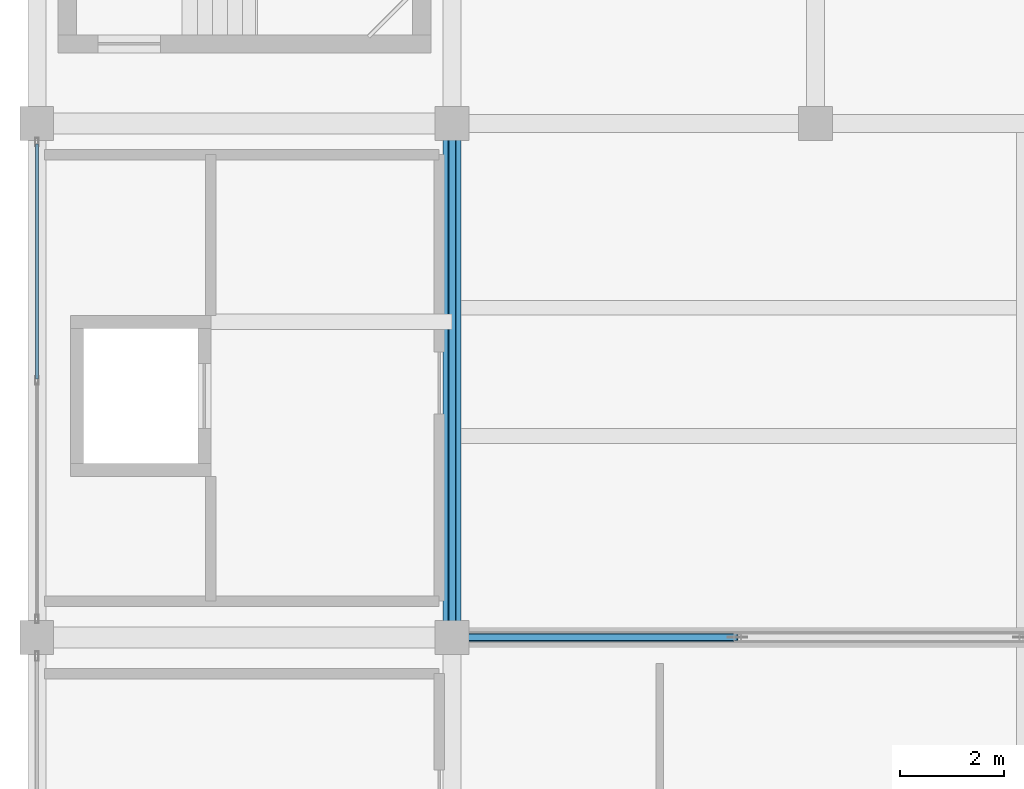
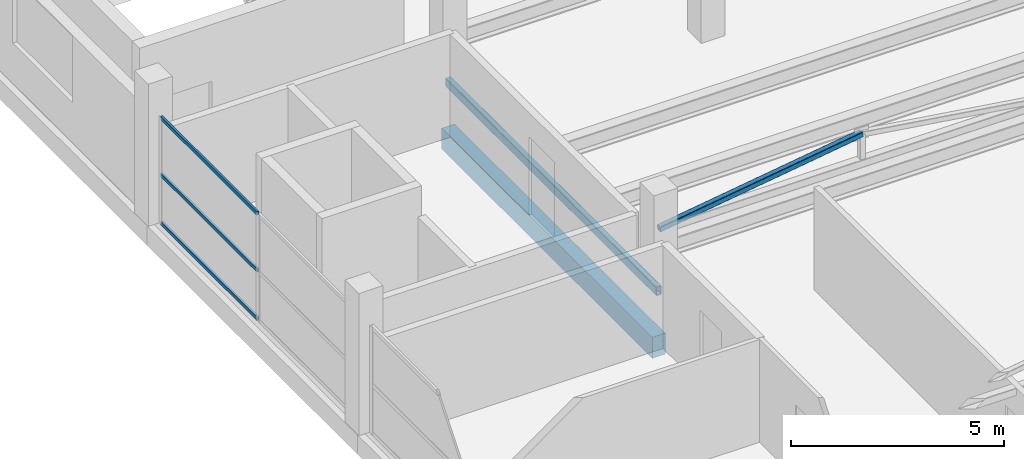
# One storey, part 30 of 70: 4 members, 2 beams, 1 element without a shape of its own.
"""IFC4 building model written with IfcOpenShell, lengths in metres."""

import ifcopenshell
import ifcopenshell.guid

model = None  # the IFC model being written
_history = None  # IfcOwnerHistory: only IFC2X3 demands one
_inside = {}  # id of a spatial element -> (the spatial element, [elements in it])
_under = {}  # id of a project, library or spatial element -> (it, [spatial elements below it])
_declared = {}  # id of a project -> (the project, [libraries it declares])
_typed = {}  # id of a type object -> (the type object, [elements of that type])
_made_of = {}  # id of a material, layer set ... -> (it, [elements and type objects made of it])


def new_model(schema):
    """Start an empty IFC model of exactly this schema.

    Asked for "IFC4X3", IfcOpenShell would pick the latest addendum, in which some entities
    have other attributes; the version numbers below select the first issue.
    IFC2X3 requires an IfcOwnerHistory on every rooted entity: one is made here for all.
    """
    global model, _history
    if schema == "IFC4X3":
        model = ifcopenshell.file(schema_version=(4, 3, 0, 0))
    else:
        model = ifcopenshell.file(schema=schema)
    _inside.clear()
    _under.clear()
    _declared.clear()
    _typed.clear()
    _made_of.clear()
    _history = None
    if model.schema == "IFC2X3":
        org = make("IfcOrganization", Name="unknown")
        user = make(
            "IfcPersonAndOrganization",
            ThePerson=make("IfcPerson", FamilyName="unknown"),
            TheOrganization=org,
        )
        app = make(
            "IfcApplication",
            ApplicationDeveloper=org,
            Version="unknown",
            ApplicationFullName="unknown",
            ApplicationIdentifier="unknown",
        )
        _history = make(
            "IfcOwnerHistory",
            OwningUser=user,
            OwningApplication=app,
            ChangeAction="ADDED",
            CreationDate=0,
        )
    return model


def make(cls, **values):
    """One entity of the class cls with the attributes given. An attribute that is None is left unset."""
    return model.create_entity(
        cls, **{name: value for name, value in values.items() if value is not None}
    )


def rooted(cls, **values):
    """An entity with a GlobalId (a new one), such as an element, a storey or a relation."""
    return make(cls, GlobalId=ifcopenshell.guid.new(), OwnerHistory=_history, **values)


def si_unit(unit_type, name, prefix=None):
    """IfcSIUnit, for example si_unit("LENGTHUNIT", "METRE", prefix="MILLI")."""
    return make("IfcSIUnit", UnitType=unit_type, Prefix=prefix, Name=name)


def assignment(units):
    """IfcUnitAssignment: the units of a project."""
    return None if units is None else make("IfcUnitAssignment", Units=units)


def point(xyz):
    """IfcCartesianPoint."""
    return None if xyz is None else make("IfcCartesianPoint", Coordinates=xyz)


def direction(xyz):
    """IfcDirection."""
    return None if xyz is None else make("IfcDirection", DirectionRatios=xyz)


def frame(location, z_axis=None, x_axis=None):
    """IfcAxis2Placement3D, a coordinate frame: its origin and axes. An axis left out is left unset."""
    return make(
        "IfcAxis2Placement3D",
        Location=point(location),
        Axis=direction(z_axis),
        RefDirection=direction(x_axis),
    )


def frame_2d(location, x_axis=None):
    """IfcAxis2Placement2D, a coordinate frame in the plane: its origin and x axis."""
    return make(
        "IfcAxis2Placement2D", Location=point(location), RefDirection=direction(x_axis)
    )


def origin():
    """The frame at (0, 0, 0) with its axes left unset."""
    return frame((0.0, 0.0, 0.0))


def origin_2d():
    """The frame at (0, 0) in the plane with its x axis left unset."""
    return frame_2d((0.0, 0.0))


def place(relative_to, where):
    """IfcLocalPlacement: puts the frame where relative to a parent placement (None: the world)."""
    return make(
        "IfcLocalPlacement", PlacementRelTo=relative_to, RelativePlacement=where
    )


def context(
    kind, dimensions, precision=None, world=None, true_north=None, identifier=None
):
    """IfcGeometricRepresentationContext, for example the 3D "Model" context."""
    return make(
        "IfcGeometricRepresentationContext",
        ContextIdentifier=identifier,
        ContextType=kind,
        CoordinateSpaceDimension=dimensions,
        Precision=precision,
        WorldCoordinateSystem=world,
        TrueNorth=true_north,
    )


def subcontext(parent, identifier, kind, view, scale=None):
    """IfcGeometricRepresentationSubContext, for example "Body" below "Model"."""
    return make(
        "IfcGeometricRepresentationSubContext",
        ContextIdentifier=identifier,
        ContextType=kind,
        ParentContext=parent,
        TargetScale=scale,
        TargetView=view,
    )


def project(units=None, contexts=None):
    """IfcProject with its units and contexts."""
    return rooted(
        "IfcProject",
        Name="project",
        RepresentationContexts=contexts,
        UnitsInContext=assignment(units),
    )


def spatial(cls, under=None, at=None, **own):
    """A site, building, storey or space (cls), placed at a placement, below another one or the project."""
    s = rooted(cls, ObjectPlacement=at, **own)
    if under is not None:
        _under.setdefault(under.id(), (under, []))[1].append(s)
    return s


def profile(cls, at=None, kind="AREA", **sizes):
    """A parametric profile (cls). Its sizes go by their IFC names, for example OverallWidth=200.0."""
    return make(cls, ProfileType=kind, Position=at, **sizes)


def rectangle(**sizes):
    """IfcRectangleProfileDef."""
    return profile("IfcRectangleProfileDef", **sizes)


def hollow_rectangle(**sizes):
    """IfcRectangleHollowProfileDef."""
    return profile("IfcRectangleHollowProfileDef", **sizes)


def extrude(swept, where, along, depth):
    """IfcExtrudedAreaSolid: the profile swept, set in the frame where, extruded along a direction by depth."""
    return make(
        "IfcExtrudedAreaSolid",
        SweptArea=swept,
        Position=where,
        ExtrudedDirection=direction(along),
        Depth=depth,
    )


def shape(context_of_items, identifier, shape_type, items):
    """IfcShapeRepresentation: the items that make up one representation, for example the "Body"."""
    return make(
        "IfcShapeRepresentation",
        ContextOfItems=context_of_items,
        RepresentationIdentifier=identifier,
        RepresentationType=shape_type,
        Items=items,
    )


def material(Name=None, Category=None):
    """IfcMaterial."""
    return make("IfcMaterial", Name=Name, Category=Category)


def layer(
    of_material, thickness, ventilated=None, Name=None, Category=None, Priority=None
):
    """IfcMaterialLayer: one layer of a wall or slab, of a material (None: an air gap)."""
    return make(
        "IfcMaterialLayer",
        Material=of_material,
        LayerThickness=thickness,
        IsVentilated=ventilated,
        Name=Name,
        Category=Category,
        Priority=Priority,
    )


def layer_set(layers, Name=None):
    """IfcMaterialLayerSet."""
    return make("IfcMaterialLayerSet", MaterialLayers=layers, LayerSetName=Name)


def material_profile(
    of_material, cross_section, Name=None, Category=None, Priority=None
):
    """IfcMaterialProfile: a cross section and its material."""
    return make(
        "IfcMaterialProfile",
        Name=Name,
        Material=of_material,
        Profile=cross_section,
        Priority=Priority,
        Category=Category,
    )


def profile_set(profiles, Name=None, composite=None):
    """IfcMaterialProfileSet."""
    return make(
        "IfcMaterialProfileSet",
        Name=Name,
        MaterialProfiles=profiles,
        CompositeProfile=composite,
    )


def made_of(thing, what):
    """Note that an element or type object is made of a material, layer set ...; save() writes the relation."""
    if what is not None:
        _made_of.setdefault(what.id(), (what, []))[1].append(thing)
    return thing


def type_object(cls, material=None, **own):
    """A type object (cls), such as IfcWallType, which elements share."""
    return made_of(rooted(cls, **own), material)


def element(
    cls,
    number,
    at=None,
    inside=None,
    cuts=None,
    type_object=None,
    material=None,
    context=None,
    identifier="Body",
    shape_type=None,
    held_by="IfcProductDefinitionShape",
    body=None,
    shapes=None,
    **own,
):
    """One element of the class cls, such as IfcWall. Its Tag is "e" and its number.

    at: its placement. inside: the storey or other place that contains it. cuts: it is an
    opening in that element (IfcRelVoidsElement). A single representation is given by context,
    identifier, shape_type and body (its items); several are given by shapes. held_by: the class
    of the entity that holds the representations. save() writes the other relations.
    """
    e = rooted(cls, Tag="e%d" % number, ObjectPlacement=at, **own)
    if body is not None:
        shapes = [shape(context, identifier, shape_type, body)]
    if shapes is not None:
        e.Representation = make(held_by, Representations=shapes)
    if inside is not None:
        _inside.setdefault(inside.id(), (inside, []))[1].append(e)
    if cuts is not None:
        rooted(
            "IfcRelVoidsElement", RelatingBuildingElement=cuts, RelatedOpeningElement=e
        )
    if type_object is not None:
        _typed.setdefault(type_object.id(), (type_object, []))[1].append(e)
    return made_of(e, material)


def aggregate(whole, parts):
    """IfcRelAggregates: a whole, such as a stair, and the parts it consists of."""
    return rooted("IfcRelAggregates", RelatingObject=whole, RelatedObjects=parts)


def save(model, path):
    """Write the relations noted so far, then the file.

    IfcRelAggregates (storeys below a building ...), IfcRelContainedInSpatialStructure (elements
    in a storey), IfcRelDefinesByType, IfcRelAssociatesMaterial and IfcRelDeclares: one each for
    every whole, place, type object, material and project.
    """
    for whole, parts in _under.values():
        aggregate(whole, parts)
    for where, things in _inside.values():
        rooted(
            "IfcRelContainedInSpatialStructure",
            RelatedElements=things,
            RelatingStructure=where,
        )
    for kind, things in _typed.values():
        rooted("IfcRelDefinesByType", RelatedObjects=things, RelatingType=kind)
    for what, things in _made_of.values():
        rooted("IfcRelAssociatesMaterial", RelatedObjects=things, RelatingMaterial=what)
    for by, libraries in _declared.values():
        rooted("IfcRelDeclares", RelatingContext=by, RelatedDefinitions=libraries)
    model.write(path)


model = new_model("IFC4")

# Units and contexts
model_context = context("Model", 3, precision=1e-05, world=origin(), true_north=direction((0.0, 1.0)))
body_context = subcontext(model_context, "Body", "Model", "MODEL_VIEW")
ifc_project = project(units=[si_unit("LENGTHUNIT", "METRE"), si_unit("AREAUNIT", "SQUARE_METRE"), si_unit("VOLUMEUNIT", "CUBIC_METRE"), si_unit("PLANEANGLEUNIT", "RADIAN"), si_unit("MASSUNIT", "GRAM", prefix="KILO")], contexts=[model_context])

# Site, building, storey
site_placement = place(None, origin())
site = spatial("IfcSite", under=ifc_project, at=site_placement, CompositionType="ELEMENT")
building_placement = place(site_placement, origin())
building = spatial("IfcBuilding", under=site, at=building_placement, Name="Sillaruma Civic Art Gallery", CompositionType="ELEMENT")
storey_placement = place(building_placement, frame((0.0, 0.0, 66.300048828125)))
storey = spatial("IfcBuildingStorey", under=building, at=storey_placement, Name="L13", CompositionType="ELEMENT", Elevation=66.300048828125)

# Beams
ifc_material_1 = material(Name="Concrete H35 (35 MPa)", Category="concrete")
ifc_material_profile_1 = material_profile(ifc_material_1, rectangle(XDim=0.35009765625, YDim=0.60009765625, at=origin_2d()), Name="RCB350x600")
ifc_profile_set_1 = profile_set([ifc_material_profile_1], Name="Concrete H35 (35 MPa)")
beam_type_1 = type_object("IfcBeamType", Name="BM-BEAM-RCB350x600", PredefinedType="BEAM", material=ifc_profile_set_1)
beam_1_placement = place(storey_placement, frame((70.0, 69.300048828125, -0.530029296875), z_axis=(0.0, 1.0, 0.0), x_axis=(-1.0, 0.0, 0.0)))
element("IfcBeam", 1, at=beam_1_placement, inside=storey, type_object=beam_type_1, Name="Beam BM-06 (L12:G:8-9)", PredefinedType="BEAM", context=body_context, shape_type="SweptSolid", body=[
    extrude(rectangle(XDim=0.35009765625, YDim=0.60009765625, at=origin_2d()), origin(), (0.0, 0.0, 1.0), 9.89990234375),
])
ifc_material_2 = material(Name="Structural Steel ASTM A500 Gr.C", Category="steel")
ifc_material_profile_2 = material_profile(ifc_material_2, hollow_rectangle(XDim=0.14990234375, YDim=0.25, WallThickness=0.010009765625, InnerFilletRadius=0.010009765625, OuterFilletRadius=0.02001953125, at=origin_2d()), Name="HSS250x150x10")
ifc_profile_set_2 = profile_set([ifc_material_profile_2], Name="Structural Steel ASTM A500 Gr.C")
beam_type_2 = type_object("IfcBeamType", Name="BM-LND-HSS200", PredefinedType="BEAM", material=ifc_profile_set_2)
beam_2_placement = place(storey_placement, frame((70.0, 69.300048828125, 1.050048828125), z_axis=(0.0, 1.0, 0.0), x_axis=(-1.0, 0.0, 0.0)))
element("IfcBeam", 2, at=beam_2_placement, inside=storey, type_object=beam_type_2, Name="Feature Stair L1 Rail (ST-G08-W)", PredefinedType="BEAM", context=body_context, shape_type="SweptSolid", body=[
    extrude(hollow_rectangle(XDim=0.14990234375, YDim=0.25, WallThickness=0.010009765625, InnerFilletRadius=0.010009765625, OuterFilletRadius=0.02001953125, at=origin_2d()), origin(), (0.0, 0.0, 1.0), 9.89990234375),
])

# Member
ifc_material_profile_3 = material_profile(ifc_material_2, hollow_rectangle(XDim=0.14990234375, YDim=0.14990234375, WallThickness=0.010009765625, InnerFilletRadius=0.010009765625, OuterFilletRadius=0.02001953125, at=origin_2d()), Name="HSS150x150x10")
ifc_profile_set_3 = profile_set([ifc_material_profile_3], Name="Structural Steel ASTM A500 Gr.C")
member_type_1 = type_object("IfcMemberType", Name="MEM-BRACE-HSS150x150x10", PredefinedType="BRACE", material=ifc_profile_set_3)
member_1_placement = place(storey_placement, frame((70.0, 69.300048828125, 2.83984375), z_axis=(0.989377720719, 0.0, 0.145367553959), x_axis=(0.0, 1.0, 0.0)))
element("IfcMember", 3, at=member_1_placement, inside=storey, type_object=member_type_1, Name="Warren Truss Diagonal TR-L13-3-D1", PredefinedType="BRACE", context=body_context, shape_type="SweptSolid", body=[
    extrude(hollow_rectangle(XDim=0.14990234375, YDim=0.14990234375, WallThickness=0.010009765625, InnerFilletRadius=0.010009765625, OuterFilletRadius=0.02001953125, at=origin_2d()), origin(), (0.0, 0.0, 1.0), 5.55908203125),
])

# Curtain wall, members
ifc_material_3 = material(Name="Thermally Broken Extruded Aluminium 6063-T6", Category="aluminium")
ifc_layer = layer(ifc_material_3, 0.159912109375, Name="Thermally Broken Extruded Aluminium 6063-T6")
ifc_layer_set = layer_set([ifc_layer], Name="Thermally Broken Extruded Aluminium 6063-T6")
curtain_wall_type = type_object("IfcCurtainWallType", Name="CW-UNI-94", PredefinedType="NOTDEFINED", material=ifc_layer_set)
curtain_wall_placement = place(storey_placement, origin())
curtain_wall = element("IfcCurtainWall", 4, at=curtain_wall_placement, inside=storey, type_object=curtain_wall_type, Name="Unitised Curtain Wall CW-94 (CW-L13-WBW-6)", PredefinedType="NOTDEFINED")
ifc_material_profile_4 = material_profile(ifc_material_3, hollow_rectangle(XDim=0.06005859375, YDim=0.10009765625, WallThickness=0.003173828125, at=origin_2d()), Name="CWT60x100")
ifc_profile_set_4 = profile_set([ifc_material_profile_4], Name="Thermally Broken Extruded Aluminium 6063-T6")
member_type_2 = type_object("IfcMemberType", Name="MEM-TRN-CWT60x100", PredefinedType="USERDEFINED", material=ifc_profile_set_4)
member_2_placement = place(storey_placement, frame((62.0, 74.282470703125, 0.030029296875), z_axis=(0.0, 1.0, 0.0), x_axis=(-1.0, 0.0, 0.0)))
member_2 = element("IfcMember", 5, at=member_2_placement, type_object=member_type_2, Name="CW-94 transom 2.1", ObjectType="TRANSOM", PredefinedType="USERDEFINED", context=body_context, shape_type="SweptSolid", body=[
    extrude(hollow_rectangle(XDim=0.06005859375, YDim=0.10009765625, WallThickness=0.003173828125, at=origin_2d()), origin(), (0.0, 0.0, 1.0), 4.527587890625),
])
member_3_placement = place(storey_placement, frame((62.0, 74.282470703125, 1.416748046875), z_axis=(0.0, 1.0, 0.0), x_axis=(-1.0, 0.0, 0.0)))
member_3 = element("IfcMember", 6, at=member_3_placement, type_object=member_type_2, Name="CW-94 transom 2.2", ObjectType="TRANSOM", PredefinedType="USERDEFINED", context=body_context, shape_type="SweptSolid", body=[
    extrude(hollow_rectangle(XDim=0.06005859375, YDim=0.10009765625, WallThickness=0.003173828125, at=origin_2d()), origin(), (0.0, 0.0, 1.0), 4.527587890625),
])
member_4_placement = place(storey_placement, frame((62.0, 74.282470703125, 3.050048828125), z_axis=(0.0, 1.0, 0.0), x_axis=(-1.0, 0.0, 0.0)))
member_4 = element("IfcMember", 7, at=member_4_placement, type_object=member_type_2, Name="CW-94 transom 2.3", ObjectType="TRANSOM", PredefinedType="USERDEFINED", context=body_context, shape_type="SweptSolid", body=[
    extrude(hollow_rectangle(XDim=0.06005859375, YDim=0.10009765625, WallThickness=0.003173828125, at=origin_2d()), origin(), (0.0, 0.0, 1.0), 4.527587890625),
])
aggregate(curtain_wall, [member_2, member_3, member_4])

save(model, "model.ifc")
